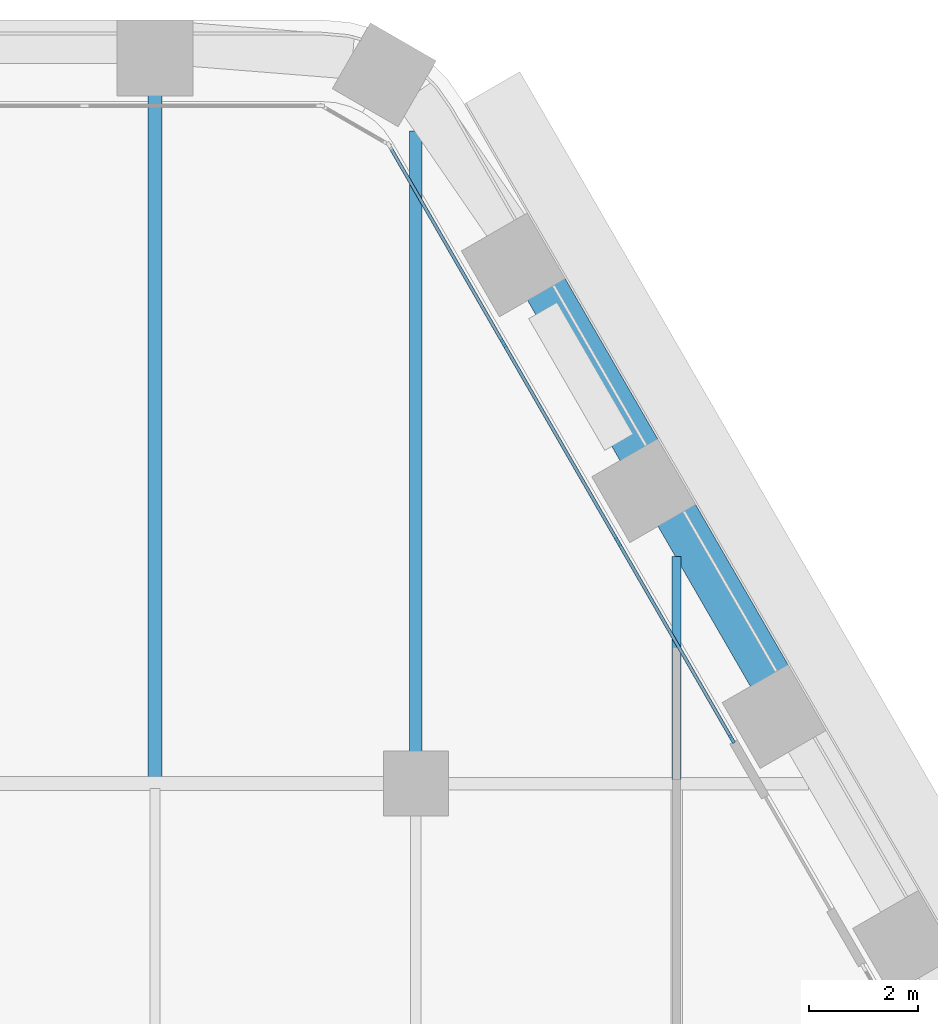
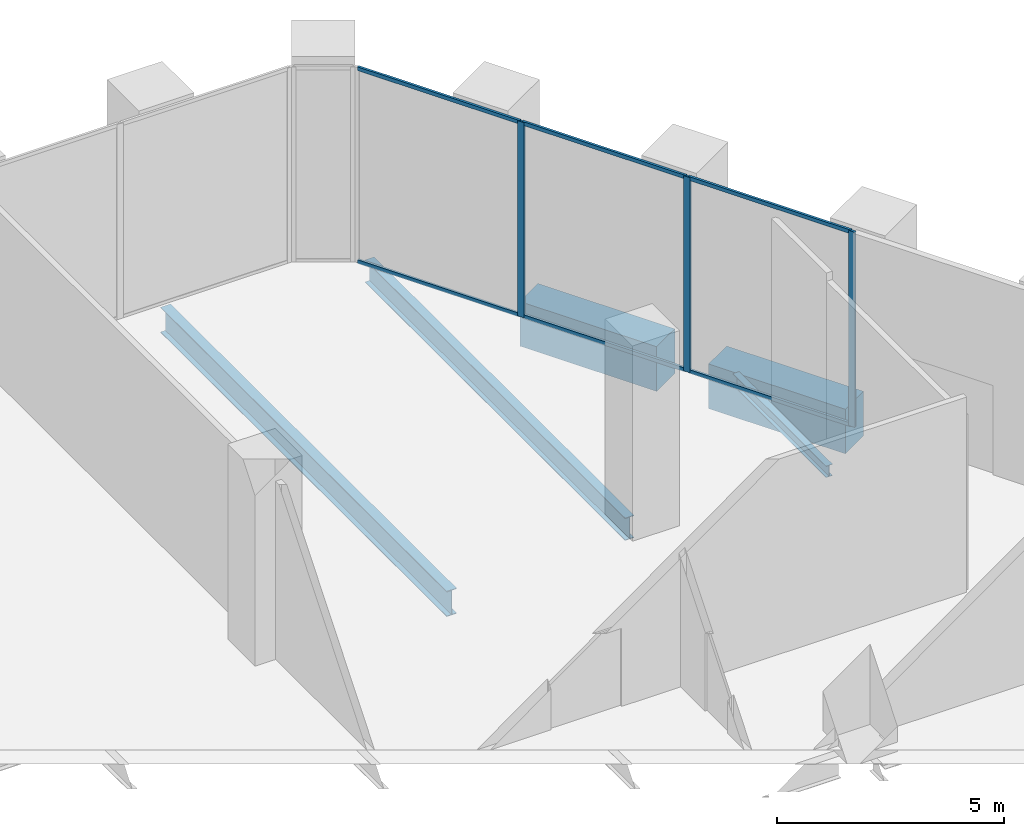
# One storey, part 10 of 27: 9 members, 5 beams, 1 element without a shape of its own.
"""IFC4 building model written with IfcOpenShell, lengths in metres."""

from ifc_helpers import new_model, si_unit, direction, frame, origin, origin_2d, place, context, subcontext, project, spatial, rectangle, i_section, extrude, material, material_profile, profile_set, type_object, element, aggregate, save


model = new_model("IFC4")

# Units and contexts
model_context = context("Model", 3, precision=1e-05, world=origin(), true_north=direction((0.0, 1.0)))
body_context = subcontext(model_context, "Body", "Model", "MODEL_VIEW")
ifc_project = project(units=[si_unit("LENGTHUNIT", "METRE"), si_unit("AREAUNIT", "SQUARE_METRE"), si_unit("VOLUMEUNIT", "CUBIC_METRE"), si_unit("PLANEANGLEUNIT", "RADIAN"), si_unit("MASSUNIT", "GRAM", prefix="KILO")], contexts=[model_context])

# Site, building, storey
site_placement = place(None, origin())
site = spatial("IfcSite", under=ifc_project, at=site_placement, CompositionType="ELEMENT")
building_placement = place(site_placement, origin())
building = spatial("IfcBuilding", under=site, at=building_placement, Name="Kolab Exchange Tower", CompositionType="ELEMENT")
storey_placement = place(building_placement, frame((0.0, 0.0, 44.39990234375)))
storey = spatial("IfcBuildingStorey", under=building, at=storey_placement, Name="L08", CompositionType="ELEMENT", Elevation=44.39990234375)

# Beams
ifc_material_1 = material(Name="Steel S355", Category="steel")
ifc_material_profile_1 = material_profile(ifc_material_1, i_section(OverallWidth=0.1650390625, OverallDepth=0.31005859375, WebThickness=0.005859375, FlangeThickness=0.009765625, at=origin_2d()), Name="W310X39")
ifc_profile_set_1 = profile_set([ifc_material_profile_1], Name="Steel S355")
beam_type_1 = type_object("IfcBeamType", Name="FLOOR BEAM W310X39", PredefinedType="BEAM", material=ifc_profile_set_1)
beam_1_placement = place(storey_placement, frame((24.0, 19.27392578125, -0.40478515625), z_axis=(0.0, 1.0, 0.0), x_axis=(-1.0, 0.0, 0.0)))
element("IfcBeam", 1, at=beam_1_placement, inside=storey, type_object=beam_type_1, Name="beam/L08/fr/057", PredefinedType="BEAM", context=body_context, shape_type="SweptSolid", body=[
    extrude(i_section(OverallWidth=0.1650390625, OverallDepth=0.31005859375, WebThickness=0.005859375, FlangeThickness=0.009765625, at=origin_2d()), origin(), (0.0, 0.0, 1.0), 4.107666015625),
])
ifc_material_profile_2 = material_profile(ifc_material_1, i_section(OverallWidth=0.22802734375, OverallDepth=0.60791015625, WebThickness=0.01123046875, FlangeThickness=0.017333984375, at=origin_2d()), Name="W610X113")
ifc_profile_set_2 = profile_set([ifc_material_profile_2], Name="Steel S355")
beam_type_2 = type_object("IfcBeamType", Name="FLOOR BEAM W610X113", PredefinedType="BEAM", material=ifc_profile_set_2)
beam_2_placement = place(storey_placement, frame((19.199951171875, 19.760009765625, -0.553955078125), z_axis=(0.0, 1.0, 0.0), x_axis=(-1.0, 0.0, 0.0)))
element("IfcBeam", 2, at=beam_2_placement, inside=storey, type_object=beam_type_2, Name="beam/L08/fr/051", PredefinedType="BEAM", context=body_context, shape_type="SweptSolid", body=[
    extrude(i_section(OverallWidth=0.22802734375, OverallDepth=0.60791015625, WebThickness=0.01123046875, FlangeThickness=0.017333984375, at=origin_2d()), origin(), (0.0, 0.0, 1.0), 11.45458984375),
])
ifc_material_profile_3 = material_profile(ifc_material_1, i_section(OverallWidth=0.25390625, OverallDepth=0.68408203125, WebThickness=0.012451171875, FlangeThickness=0.018798828125, at=origin_2d()), Name="W690X140")
ifc_profile_set_3 = profile_set([ifc_material_profile_3], Name="Steel S355")
beam_type_3 = type_object("IfcBeamType", Name="FLOOR BEAM W690X140", PredefinedType="BEAM", material=ifc_profile_set_3)
beam_3_placement = place(storey_placement, frame((14.39990234375, 19.287109375, -0.591796875), z_axis=(0.0, 1.0, 0.0), x_axis=(-1.0, 0.0, 0.0)))
element("IfcBeam", 3, at=beam_3_placement, inside=storey, type_object=beam_type_3, Name="beam/L08/fr/045", PredefinedType="BEAM", context=body_context, shape_type="SweptSolid", body=[
    extrude(i_section(OverallWidth=0.25390625, OverallDepth=0.68408203125, WebThickness=0.012451171875, FlangeThickness=0.018798828125, at=origin_2d()), origin(), (0.0, 0.0, 1.0), 12.6083984375),
])
ifc_material_2 = material(Name="Concrete C80/95", Category="concrete")
ifc_material_profile_4 = material_profile(ifc_material_2, rectangle(XDim=0.800048828125, YDim=1.199951171875, at=origin_2d()), Name="RC800X1200")
ifc_profile_set_4 = profile_set([ifc_material_profile_4], Name="Concrete C80/95")
beam_type_4 = type_object("IfcBeamType", Name="SPANDREL BEAM 800X1200 C80/95", PredefinedType="BEAM", material=ifc_profile_set_4)
beam_4_placement = place(storey_placement, frame((21.58349609375, 28.326904296875, -0.849853515625), z_axis=(0.499979528911, -0.866037222451, 0.0), x_axis=(0.866037222451, 0.499979528911, 0.0)))
element("IfcBeam", 4, at=beam_4_placement, inside=storey, type_object=beam_type_4, Name="beam/L08/sp/F2-02", PredefinedType="BEAM", context=body_context, shape_type="SweptSolid", body=[
    extrude(rectangle(XDim=0.800048828125, YDim=1.199951171875, at=origin_2d()), origin(), (0.0, 0.0, 1.0), 3.480224609375),
])
beam_5_placement = place(storey_placement, frame((23.983642578125, 24.169921875, -0.849853515625), z_axis=(0.500009906705, -0.86601968407, 0.0), x_axis=(0.86601968407, 0.500009906705, 0.0)))
element("IfcBeam", 5, at=beam_5_placement, inside=storey, type_object=beam_type_4, Name="beam/L08/sp/F2-03", PredefinedType="BEAM", context=body_context, shape_type="SweptSolid", body=[
    extrude(rectangle(XDim=0.800048828125, YDim=1.199951171875, at=origin_2d()), origin(), (0.0, 0.0, 1.0), 3.47998046875),
])

# Curtain wall, members
ifc_material_3 = material(Name="Aluminium EN AW-6063 T6", Category="aluminium")
curtain_wall_type = type_object("IfcCurtainWallType", Name="UNITISED LOW ZONE CURTAIN WALL", PredefinedType="NOTDEFINED", material=ifc_material_3)
curtain_wall_placement = place(storey_placement, origin())
curtain_wall = element("IfcCurtainWall", 6, at=curtain_wall_placement, inside=storey, type_object=curtain_wall_type, Name="cw/L08/F2-1", PredefinedType="NOTDEFINED")
ifc_material_profile_5 = material_profile(ifc_material_3, rectangle(XDim=0.06005859375, YDim=0.159912109375, at=origin_2d()), Name="RECT 60X160")
ifc_profile_set_5 = profile_set([ifc_material_profile_5], Name="Aluminium EN AW-6063 T6")
member_type_1 = type_object("IfcMemberType", Name="UNITISED LOW ZONE MULLION 60 X 160", PredefinedType="MULLION", material=ifc_profile_set_5)
member_1_placement = place(storey_placement, frame((20.80908203125, 27.308349609375, 0.0), z_axis=(0.0, 0.0, 1.0), x_axis=(0.866025393644, 0.500000017564, 0.0)))
member_1 = element("IfcMember", 7, at=member_1_placement, type_object=member_type_1, Name="CW1 mullion 2", PredefinedType="MULLION", context=body_context, shape_type="SweptSolid", body=[
    extrude(rectangle(XDim=0.06005859375, YDim=0.159912109375, at=origin_2d()), origin(), (0.0, 0.0, 1.0), 5.25),
])
member_2_placement = place(storey_placement, frame((22.92041015625, 23.651611328125, 0.0), z_axis=(0.0, 0.0, 1.0), x_axis=(0.866025393644, 0.500000017564, 0.0)))
member_2 = element("IfcMember", 8, at=member_2_placement, type_object=member_type_1, Name="CW1 mullion 3", PredefinedType="MULLION", context=body_context, shape_type="SweptSolid", body=[
    extrude(rectangle(XDim=0.06005859375, YDim=0.159912109375, at=origin_2d()), origin(), (0.0, 0.0, 1.0), 5.25),
])
member_3_placement = place(storey_placement, frame((25.0166015625, 20.0205078125, 0.0), z_axis=(0.0, 0.0, 1.0), x_axis=(0.866025393644, 0.500000017564, 0.0)))
member_3 = element("IfcMember", 9, at=member_3_placement, type_object=member_type_1, Name="CW1 mullion 4", PredefinedType="MULLION", context=body_context, shape_type="SweptSolid", body=[
    extrude(rectangle(XDim=0.06005859375, YDim=0.159912109375, at=origin_2d()), origin(), (0.0, 0.0, 1.0), 5.25),
])
ifc_material_profile_6 = material_profile(ifc_material_3, rectangle(XDim=0.06005859375, YDim=0.10009765625, at=origin_2d()), Name="RECT 60X100")
ifc_profile_set_6 = profile_set([ifc_material_profile_6], Name="Aluminium EN AW-6063 T6")
member_type_2 = type_object("IfcMemberType", Name="UNITISED LOW ZONE TRANSOM 60 X 100", PredefinedType="USERDEFINED", material=ifc_profile_set_6)
member_4_placement = place(storey_placement, frame((18.727783203125, 30.913330078125, 0.030029296875), z_axis=(0.499983268986, -0.866035063224, 0.0), x_axis=(0.866035063224, 0.499983268986, 0.0)))
member_4 = element("IfcMember", 10, at=member_4_placement, type_object=member_type_2, Name="CW1 transom 1.1", ObjectType="TRANSOM", PredefinedType="USERDEFINED", context=body_context, shape_type="SweptSolid", body=[
    extrude(rectangle(XDim=0.06005859375, YDim=0.10009765625, at=origin_2d()), origin(), (0.0, 0.0, 1.0), 4.132568359375),
])
member_5_placement = place(storey_placement, frame((18.727783203125, 30.913330078125, 5.22021484375), z_axis=(0.499983268986, -0.866035063224, 0.0), x_axis=(0.866035063224, 0.499983268986, 0.0)))
member_5 = element("IfcMember", 11, at=member_5_placement, type_object=member_type_2, Name="CW1 transom 1.2", ObjectType="TRANSOM", PredefinedType="USERDEFINED", context=body_context, shape_type="SweptSolid", body=[
    extrude(rectangle(XDim=0.06005859375, YDim=0.10009765625, at=origin_2d()), origin(), (0.0, 0.0, 1.0), 4.132568359375),
])
member_6_placement = place(storey_placement, frame((20.823974609375, 27.282470703125, 0.030029296875), z_axis=(0.49999322259, -0.866029316688, 0.0), x_axis=(0.866029316688, 0.49999322259, 0.0)))
member_6 = element("IfcMember", 12, at=member_6_placement, type_object=member_type_2, Name="CW1 transom 2.1", ObjectType="TRANSOM", PredefinedType="USERDEFINED", context=body_context, shape_type="SweptSolid", body=[
    extrude(rectangle(XDim=0.06005859375, YDim=0.10009765625, at=origin_2d()), origin(), (0.0, 0.0, 1.0), 4.16259765625),
])
member_7_placement = place(storey_placement, frame((20.823974609375, 27.282470703125, 5.22021484375), z_axis=(0.49999322259, -0.866029316688, 0.0), x_axis=(0.866029316688, 0.49999322259, 0.0)))
member_7 = element("IfcMember", 13, at=member_7_placement, type_object=member_type_2, Name="CW1 transom 2.2", ObjectType="TRANSOM", PredefinedType="USERDEFINED", context=body_context, shape_type="SweptSolid", body=[
    extrude(rectangle(XDim=0.06005859375, YDim=0.10009765625, at=origin_2d()), origin(), (0.0, 0.0, 1.0), 4.16259765625),
])
member_8_placement = place(storey_placement, frame((22.935302734375, 23.62548828125, 0.030029296875), z_axis=(0.500027577057, -0.866009481578, 0.0), x_axis=(0.866009481578, 0.500027577057, 0.0)))
member_8 = element("IfcMember", 14, at=member_8_placement, type_object=member_type_2, Name="CW1 transom 3.1", ObjectType="TRANSOM", PredefinedType="USERDEFINED", context=body_context, shape_type="SweptSolid", body=[
    extrude(rectangle(XDim=0.06005859375, YDim=0.10009765625, at=origin_2d()), origin(), (0.0, 0.0, 1.0), 4.132568359375),
])
member_9_placement = place(storey_placement, frame((22.935302734375, 23.62548828125, 5.22021484375), z_axis=(0.500027577057, -0.866009481578, 0.0), x_axis=(0.866009481578, 0.500027577057, 0.0)))
member_9 = element("IfcMember", 15, at=member_9_placement, type_object=member_type_2, Name="CW1 transom 3.2", ObjectType="TRANSOM", PredefinedType="USERDEFINED", context=body_context, shape_type="SweptSolid", body=[
    extrude(rectangle(XDim=0.06005859375, YDim=0.10009765625, at=origin_2d()), origin(), (0.0, 0.0, 1.0), 4.132568359375),
])
aggregate(curtain_wall, [member_1, member_2, member_3, member_4, member_5, member_6, member_7, member_8, member_9])

save(model, "model.ifc")
